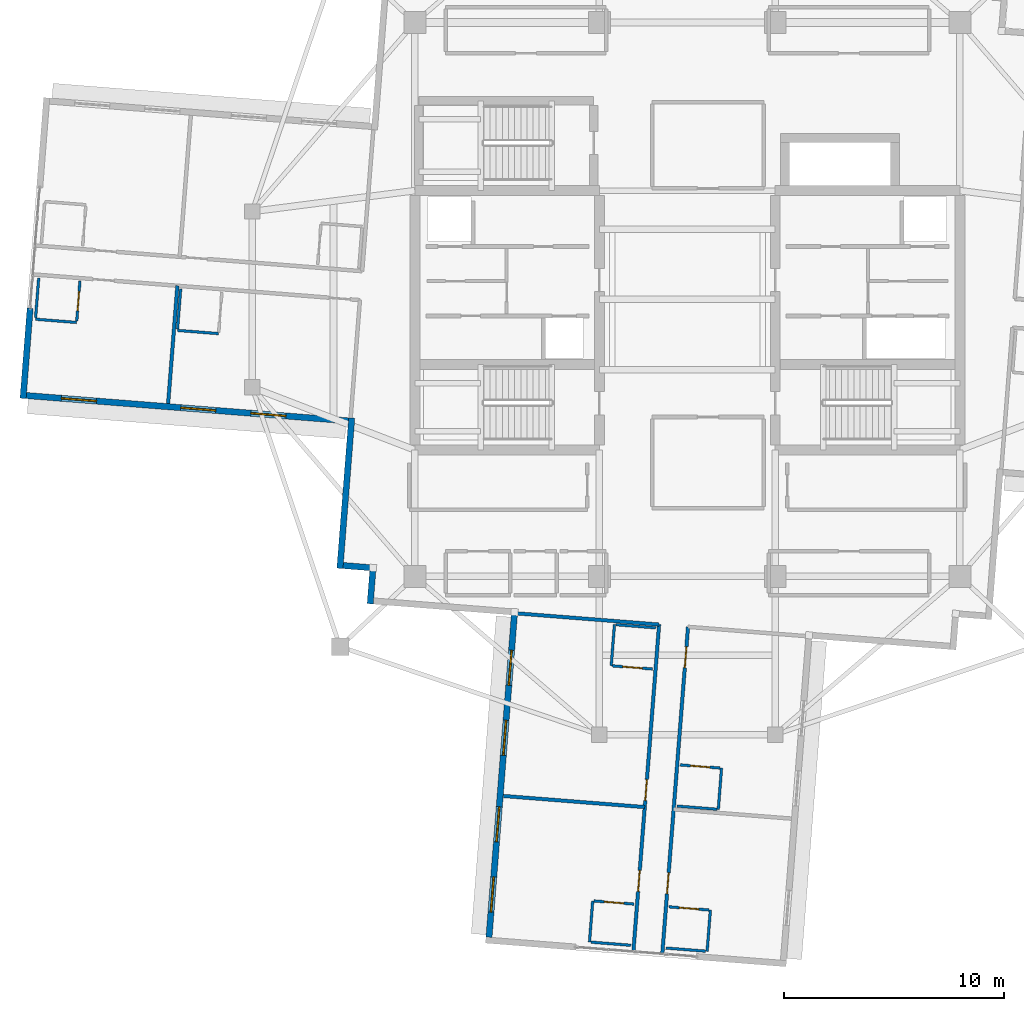
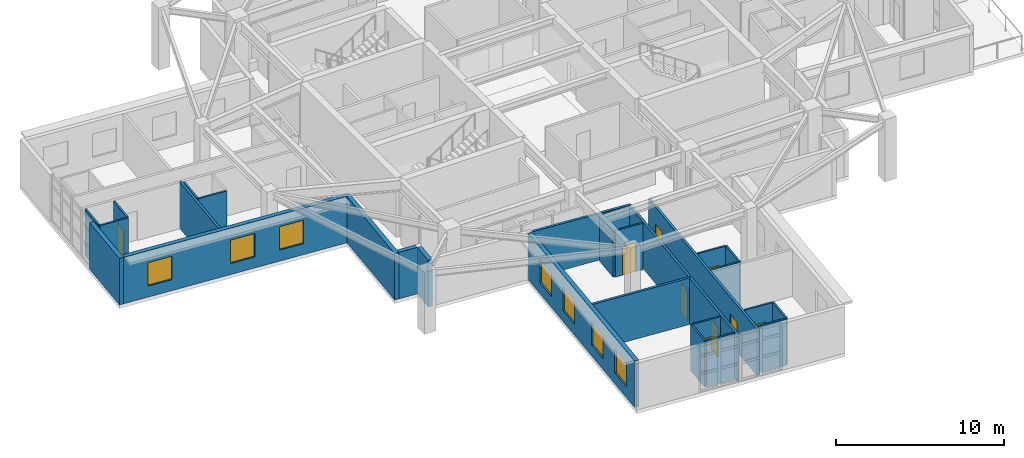
# One storey, part 13 of 23: 28 walls, 9 doors, 7 windows, 16 openings.
"""IFC4 building model written with IfcOpenShell, lengths in metres."""

from ifc_helpers import new_model, si_unit, direction, frame, frame_2d, origin, place, context, subcontext, project, spatial, rectangle, extrude, material, layer, layer_set, type_object, element, fill, save


model = new_model("IFC4")

# Units and contexts
model_context = context("Model", 3, precision=1e-05, world=origin(), true_north=direction((0.0, 1.0)))
body_context = subcontext(model_context, "Body", "Model", "MODEL_VIEW")
ifc_project = project(units=[si_unit("LENGTHUNIT", "METRE"), si_unit("AREAUNIT", "SQUARE_METRE"), si_unit("VOLUMEUNIT", "CUBIC_METRE"), si_unit("PLANEANGLEUNIT", "RADIAN"), si_unit("MASSUNIT", "GRAM", prefix="KILO")], contexts=[model_context])

# Site, building, storey
site_placement = place(None, origin())
site = spatial("IfcSite", under=ifc_project, at=site_placement, CompositionType="ELEMENT")
building_placement = place(site_placement, origin())
building = spatial("IfcBuilding", under=site, at=building_placement, Name="Qingluan Cross Belvedere", CompositionType="ELEMENT")
storey_placement = place(building_placement, frame((0.0, 0.0, 245.39990234375)))
storey = spatial("IfcBuildingStorey", under=building, at=storey_placement, Name="L61", CompositionType="ELEMENT", Elevation=245.39990234375)

# Wall
ifc_material_1 = material(Name="Gypsum plasterboard on steel stud acoustic partition", Category="steel")
ifc_layer_1 = layer(ifc_material_1, 0.159912109375, Name="CorridorPartition_160")
ifc_layer_set_1 = layer_set([ifc_layer_1], Name="Gypsum plasterboard on steel stud acoustic partition")
wall_type_1 = type_object("IfcWallType", Name="CorridorPartition_160", PredefinedType="PARTITIONING", material=ifc_layer_set_1)
wall_1_placement = place(storey_placement, frame((-23.20361328125, 0.62255859375, 0.0), z_axis=(0.0, 0.0, 1.0), x_axis=(-0.078486166816, -0.996915202822, 0.0)))
element("IfcWall", 1, at=wall_1_placement, inside=storey, type_object=wall_type_1, Name="Partition L61:W:d1_0", PredefinedType="PARTITIONING", context=body_context, shape_type="SweptSolid", body=[
    extrude(rectangle(XDim=5.3720703125, YDim=0.159912109375, at=frame_2d((2.68603515625, 0.0))), origin(), (0.0, 0.0, 1.0), 3.3701171875),
])

# Wall, openings, doors
wall_2_placement = place(storey_placement, frame((0.03125, -14.8984375, 0.0), z_axis=(0.0, 0.0, 1.0), x_axis=(-0.078459569392, -0.996917296455, 0.0)))
wall_2 = element("IfcWall", 2, at=wall_2_placement, inside=storey, type_object=wall_type_1, Name="Partition L61:S:c0", PredefinedType="PARTITIONING", context=body_context, shape_type="SweptSolid", body=[
    extrude(rectangle(XDim=14.929931640625, YDim=0.159912109375, at=frame_2d((7.46484375, 0.0))), origin(), (0.0, 0.0, 1.0), 3.3701171875),
])
opening_1_placement = place(wall_2_placement, frame((0.907958984375, 0.0, 0.0)))
opening_1 = element("IfcOpeningElement", 3, at=opening_1_placement, cuts=wall_2, Name="Opening GD-10", PredefinedType="OPENING", context=body_context, shape_type="SweptSolid", body=[
    extrude(rectangle(XDim=0.9599609375, YDim=2.14990234375, at=frame_2d((0.47998046875, 1.074951171875))), frame((0.0, 0.08984375, 0.0), z_axis=(0.0, -1.0, 0.0), x_axis=(1.0, 0.0, 0.0)), (0.0, 0.0, 1.0), 0.179931640625),
])
opening_2_placement = place(wall_2_placement, frame((11.221923828125, 0.0, 0.0)))
opening_2 = element("IfcOpeningElement", 4, at=opening_2_placement, cuts=wall_2, Name="Opening GD-10", PredefinedType="OPENING", context=body_context, shape_type="SweptSolid", body=[
    extrude(rectangle(XDim=0.9599609375, YDim=2.14990234375, at=frame_2d((0.47998046875, 1.074951171875))), frame((0.0, 0.08984375, 0.0), z_axis=(0.0, -1.0, 0.0), x_axis=(1.0, 0.0, 0.0)), (0.0, 0.0, 1.0), 0.179931640625),
])
ifc_material_2 = material(Name="Timber oak fire-rated acoustic guestroom door", Category="wood")
door_type_1 = type_object("IfcDoorType", Name="GuestEntryDoor_FD60", OperationType="NOTDEFINED", PredefinedType="DOOR", material=ifc_material_2)
door_1_placement = place(opening_1_placement, origin())
door_1 = element("IfcDoor", 5, at=door_1_placement, inside=storey, type_object=door_type_1, Name="Guest entry fire door 6113", OperationType="SINGLE_SWING_RIGHT", OverallHeight=2.14990234375, OverallWidth=0.9599609375, PredefinedType="DOOR", context=body_context, shape_type="SweptSolid", body=[
    extrude(rectangle(XDim=0.9599609375, YDim=2.14990234375, at=frame_2d((0.47998046875, 1.074951171875))), frame((0.0, 0.02490234375, 0.0), z_axis=(0.0, -1.0, 0.0), x_axis=(1.0, 0.0, 0.0)), (0.0, 0.0, 1.0), 0.050048828125),
])
fill(opening_1, door_1)
door_2_placement = place(opening_2_placement, origin())
door_2 = element("IfcDoor", 6, at=door_2_placement, inside=storey, type_object=door_type_1, Name="Guest entry fire door 6114", OperationType="SINGLE_SWING_RIGHT", OverallHeight=2.14990234375, OverallWidth=0.9599609375, PredefinedType="DOOR", context=body_context, shape_type="SweptSolid", body=[
    extrude(rectangle(XDim=0.9599609375, YDim=2.14990234375, at=frame_2d((0.47998046875, 1.074951171875))), frame((0.0, 0.02490234375, 0.0), z_axis=(0.0, -1.0, 0.0), x_axis=(1.0, 0.0, 0.0)), (0.0, 0.0, 1.0), 0.050048828125),
])
fill(opening_2, door_2)

wall_3_placement = place(storey_placement, frame((-1.28466796875, -14.794921875, 0.0), z_axis=(0.0, 0.0, 1.0), x_axis=(-0.078459569392, -0.996917296455, 0.0)))
wall_3 = element("IfcWall", 7, at=wall_3_placement, inside=storey, type_object=wall_type_1, Name="Partition L61:S:c1", PredefinedType="PARTITIONING", context=body_context, shape_type="SweptSolid", body=[
    extrude(rectangle(XDim=14.929931640625, YDim=0.159912109375, at=frame_2d((7.46484375, 0.0))), origin(), (0.0, 0.0, 1.0), 3.3701171875),
])
opening_3_placement = place(wall_3_placement, frame((7.071044921875, 0.0, 0.0)))
opening_3 = element("IfcOpeningElement", 8, at=opening_3_placement, cuts=wall_3, Name="Opening GD-10", PredefinedType="OPENING", context=body_context, shape_type="SweptSolid", body=[
    extrude(rectangle(XDim=0.9599609375, YDim=2.14990234375, at=frame_2d((0.47998046875, 1.074951171875))), frame((0.0, 0.08984375, 0.0), z_axis=(0.0, -1.0, 0.0), x_axis=(1.0, 0.0, 0.0)), (0.0, 0.0, 1.0), 0.179931640625),
])
opening_4_placement = place(wall_3_placement, frame((11.221923828125, 0.0, 0.0)))
opening_4 = element("IfcOpeningElement", 9, at=opening_4_placement, cuts=wall_3, Name="Opening GD-10", PredefinedType="OPENING", context=body_context, shape_type="SweptSolid", body=[
    extrude(rectangle(XDim=0.9599609375, YDim=2.14990234375, at=frame_2d((0.47998046875, 1.074951171875))), frame((0.0, 0.08984375, 0.0), z_axis=(0.0, -1.0, 0.0), x_axis=(1.0, 0.0, 0.0)), (0.0, 0.0, 1.0), 0.179931640625),
])
door_3_placement = place(opening_3_placement, origin())
door_3 = element("IfcDoor", 10, at=door_3_placement, inside=storey, type_object=door_type_1, Name="Guest entry fire door 6115", OperationType="SINGLE_SWING_RIGHT", OverallHeight=2.14990234375, OverallWidth=0.9599609375, PredefinedType="DOOR", context=body_context, shape_type="SweptSolid", body=[
    extrude(rectangle(XDim=0.9599609375, YDim=2.14990234375, at=frame_2d((0.47998046875, 1.074951171875))), frame((0.0, 0.02490234375, 0.0), z_axis=(0.0, -1.0, 0.0), x_axis=(1.0, 0.0, 0.0)), (0.0, 0.0, 1.0), 0.050048828125),
])
fill(opening_3, door_3)
door_4_placement = place(opening_4_placement, origin())
door_4 = element("IfcDoor", 11, at=door_4_placement, inside=storey, type_object=door_type_1, Name="Guest entry fire door 6116", OperationType="SINGLE_SWING_RIGHT", OverallHeight=2.14990234375, OverallWidth=0.9599609375, PredefinedType="DOOR", context=body_context, shape_type="SweptSolid", body=[
    extrude(rectangle(XDim=0.9599609375, YDim=2.14990234375, at=frame_2d((0.47998046875, 1.074951171875))), frame((0.0, 0.02490234375, 0.0), z_axis=(0.0, -1.0, 0.0), x_axis=(1.0, 0.0, 0.0)), (0.0, 0.0, 1.0), 0.050048828125),
])
fill(opening_4, door_4)

# Walls
wall_4_placement = place(storey_placement, frame((-1.28466796875, -14.794921875, 0.0), z_axis=(0.0, 0.0, 1.0), x_axis=(-0.996917593255, 0.078455798126, 0.0)))
element("IfcWall", 12, at=wall_4_placement, inside=storey, type_object=wall_type_1, Name="Partition L61:S:s1", PredefinedType="PARTITIONING", context=body_context, shape_type="SweptSolid", body=[
    extrude(rectangle(XDim=6.60009765625, YDim=0.159912109375, at=frame_2d((3.300048828125, 0.0))), origin(), (0.0, 0.0, 1.0), 3.3701171875),
])
wall_5_placement = place(storey_placement, frame((-1.9384765625, -23.10009765625, 0.0), z_axis=(0.0, 0.0, 1.0), x_axis=(-0.996918739927, 0.078441226291, 0.0)))
element("IfcWall", 13, at=wall_5_placement, inside=storey, type_object=wall_type_1, Name="Partition L61:S:d1_0", PredefinedType="PARTITIONING", context=body_context, shape_type="SweptSolid", body=[
    extrude(rectangle(XDim=6.451904296875, YDim=0.159912109375, at=frame_2d((3.22607421875, 0.0))), origin(), (0.0, 0.0, 1.0), 3.3701171875),
])
ifc_material_3 = material(Name="Moisture-resistant gypsum board lining")
ifc_layer_2 = layer(ifc_material_3, 0.1201171875, Name="EnsuiteWetPartition_120")
ifc_layer_set_2 = layer_set([ifc_layer_2], Name="Moisture-resistant gypsum board lining")
wall_type_2 = type_object("IfcWallType", Name="EnsuiteWetPartition_120", PredefinedType="PARTITIONING", material=ifc_layer_set_2)
wall_6_placement = place(storey_placement, frame((-23.197998046875, -1.343994140625, 0.0), z_axis=(0.0, 0.0, 1.0), x_axis=(0.078481444107, 0.996915574626, 0.0)))
element("IfcWall", 14, at=wall_6_placement, inside=storey, type_object=wall_type_2, Name="Partition L61:W:bw1_0", PredefinedType="PARTITIONING", context=body_context, shape_type="SweptSolid", body=[
    extrude(rectangle(XDim=1.81982421875, YDim=0.1201171875, at=frame_2d((0.909912109375, 0.0))), origin(), (0.0, 0.0, 1.0), 3.3701171875),
])
wall_7_placement = place(storey_placement, frame((-21.328857421875, -1.556396484375, 0.0), z_axis=(0.0, 0.0, 1.0), x_axis=(-0.996919293781, 0.07843418698, 0.0)))
element("IfcWall", 15, at=wall_7_placement, inside=storey, type_object=wall_type_2, Name="Partition L61:W:bc1_0", PredefinedType="PARTITIONING", context=body_context, shape_type="SweptSolid", body=[
    extrude(rectangle(XDim=1.880126953125, YDim=0.1201171875, at=frame_2d((0.93994140625, 0.0))), origin(), (0.0, 0.0, 1.0), 3.3701171875),
])

# Wall, opening, door
wall_8_placement = place(storey_placement, frame((-27.78271484375, -0.983154296875, 0.0), z_axis=(0.0, 0.0, 1.0), x_axis=(0.0784709492, 0.996916400774, 0.0)))
wall_8 = element("IfcWall", 16, at=wall_8_placement, inside=storey, type_object=wall_type_2, Name="Partition L61:W:bs1_1", PredefinedType="PARTITIONING", context=body_context, shape_type="SweptSolid", body=[
    extrude(rectangle(XDim=1.820068359375, YDim=0.1201171875, at=frame_2d((0.91015625, 0.0))), origin(), (0.0, 0.0, 1.0), 3.3701171875),
])
opening_5_placement = place(wall_8_placement, frame((0.469970703125, 0.0, 0.0)))
opening_5 = element("IfcOpeningElement", 17, at=opening_5_placement, cuts=wall_8, Name="Opening BD-09", PredefinedType="OPENING", context=body_context, shape_type="SweptSolid", body=[
    extrude(rectangle(XDim=0.8798828125, YDim=2.10009765625, at=frame_2d((0.43994140625, 1.050048828125))), frame((0.0, 0.070068359375, 0.0), z_axis=(0.0, -1.0, 0.0), x_axis=(1.0, 0.0, 0.0)), (0.0, 0.0, 1.0), 0.14013671875),
])
ifc_material_4 = material(Name="Moisture-sealed timber en-suite door", Category="wood")
door_type_2 = type_object("IfcDoorType", Name="BathroomDoor_880", OperationType="NOTDEFINED", PredefinedType="DOOR", material=ifc_material_4)
door_5_placement = place(opening_5_placement, origin())
door_5 = element("IfcDoor", 18, at=door_5_placement, inside=storey, type_object=door_type_2, Name="Bathroom door 6108", OperationType="SINGLE_SWING_LEFT", OverallHeight=2.10009765625, OverallWidth=0.8798828125, PredefinedType="DOOR", context=body_context, shape_type="SweptSolid", body=[
    extrude(rectangle(XDim=0.8798828125, YDim=2.10009765625, at=frame_2d((0.43994140625, 1.050048828125))), frame((0.0, 0.02490234375, 0.0), z_axis=(0.0, -1.0, 0.0), x_axis=(1.0, 0.0, 0.0)), (0.0, 0.0, 1.0), 0.050048828125),
])
fill(opening_5, door_5)

# Walls
wall_9_placement = place(storey_placement, frame((-29.656982421875, -0.835693359375, 0.0), z_axis=(0.0, 0.0, 1.0), x_axis=(0.0784709492, 0.996916400774, 0.0)))
element("IfcWall", 19, at=wall_9_placement, inside=storey, type_object=wall_type_2, Name="Partition L61:W:bw1_1", PredefinedType="PARTITIONING", context=body_context, shape_type="SweptSolid", body=[
    extrude(rectangle(XDim=1.820068359375, YDim=0.1201171875, at=frame_2d((0.91015625, 0.0))), origin(), (0.0, 0.0, 1.0), 3.3701171875),
])
wall_10_placement = place(storey_placement, frame((-27.787841796875, -1.048095703125, 0.0), z_axis=(0.0, 0.0, 1.0), x_axis=(-0.996909131608, 0.078563244057, 0.0)))
element("IfcWall", 20, at=wall_10_placement, inside=storey, type_object=wall_type_2, Name="Partition L61:W:bc1_1", PredefinedType="PARTITIONING", context=body_context, shape_type="SweptSolid", body=[
    extrude(rectangle(XDim=1.880126953125, YDim=0.1201171875, at=frame_2d((0.93994140625, 0.0))), origin(), (0.0, 0.0, 1.0), 3.3701171875),
])

# Wall, opening, door
wall_11_placement = place(storey_placement, frame((-0.32275390625, -21.180908203125, 0.0), z_axis=(0.0, 0.0, 1.0), x_axis=(0.996916400774, -0.0784709492, 0.0)))
wall_11 = element("IfcWall", 21, at=wall_11_placement, inside=storey, type_object=wall_type_2, Name="Partition L61:S:bs0_0", PredefinedType="PARTITIONING", context=body_context, shape_type="SweptSolid", body=[
    extrude(rectangle(XDim=1.820068359375, YDim=0.1201171875, at=frame_2d((0.91015625, 0.0))), origin(), (0.0, 0.0, 1.0), 3.3701171875),
])
opening_6_placement = place(wall_11_placement, frame((0.469970703125, 0.0, 0.0)))
opening_6 = element("IfcOpeningElement", 22, at=opening_6_placement, cuts=wall_11, Name="Opening BD-09", PredefinedType="OPENING", context=body_context, shape_type="SweptSolid", body=[
    extrude(rectangle(XDim=0.8798828125, YDim=2.10009765625, at=frame_2d((0.43994140625, 1.050048828125))), frame((0.0, 0.070068359375, 0.0), z_axis=(0.0, -1.0, 0.0), x_axis=(1.0, 0.0, 0.0)), (0.0, 0.0, 1.0), 0.14013671875),
])
door_6_placement = place(opening_6_placement, origin())
door_6 = element("IfcDoor", 23, at=door_6_placement, inside=storey, type_object=door_type_2, Name="Bathroom door 6113", OperationType="SINGLE_SWING_LEFT", OverallHeight=2.10009765625, OverallWidth=0.8798828125, PredefinedType="DOOR", context=body_context, shape_type="SweptSolid", body=[
    extrude(rectangle(XDim=0.8798828125, YDim=2.10009765625, at=frame_2d((0.43994140625, 1.050048828125))), frame((0.0, 0.02490234375, 0.0), z_axis=(0.0, -1.0, 0.0), x_axis=(1.0, 0.0, 0.0)), (0.0, 0.0, 1.0), 0.050048828125),
])
fill(opening_6, door_6)

# Walls
wall_12_placement = place(storey_placement, frame((-0.47021484375, -23.05517578125, 0.0), z_axis=(0.0, 0.0, 1.0), x_axis=(0.996915574626, -0.078481444107, 0.0)))
element("IfcWall", 24, at=wall_12_placement, inside=storey, type_object=wall_type_2, Name="Partition L61:S:bw0_0", PredefinedType="PARTITIONING", context=body_context, shape_type="SweptSolid", body=[
    extrude(rectangle(XDim=1.81982421875, YDim=0.1201171875, at=frame_2d((0.909912109375, 0.0))), origin(), (0.0, 0.0, 1.0), 3.3701171875),
])
wall_13_placement = place(storey_placement, frame((1.556396484375, -21.328857421875, 0.0), z_axis=(0.0, 0.0, 1.0), x_axis=(-0.07843418698, -0.996919293781, 0.0)))
element("IfcWall", 25, at=wall_13_placement, inside=storey, type_object=wall_type_2, Name="Partition L61:S:bn0_0", PredefinedType="PARTITIONING", context=body_context, shape_type="SweptSolid", body=[
    extrude(rectangle(XDim=1.880126953125, YDim=0.1201171875, at=frame_2d((0.93994140625, 0.0))), origin(), (0.0, 0.0, 1.0), 3.3701171875),
])

# Wall, opening, door
wall_14_placement = place(storey_placement, frame((-0.831298828125, -27.639892578125, 0.0), z_axis=(0.0, 0.0, 1.0), x_axis=(0.996916400774, -0.0784709492, 0.0)))
wall_14 = element("IfcWall", 26, at=wall_14_placement, inside=storey, type_object=wall_type_2, Name="Partition L61:S:bs0_1", PredefinedType="PARTITIONING", context=body_context, shape_type="SweptSolid", body=[
    extrude(rectangle(XDim=1.820068359375, YDim=0.1201171875, at=frame_2d((0.91015625, 0.0))), origin(), (0.0, 0.0, 1.0), 3.3701171875),
])
opening_7_placement = place(wall_14_placement, frame((0.469970703125, 0.0, 0.0)))
opening_7 = element("IfcOpeningElement", 27, at=opening_7_placement, cuts=wall_14, Name="Opening BD-09", PredefinedType="OPENING", context=body_context, shape_type="SweptSolid", body=[
    extrude(rectangle(XDim=0.8798828125, YDim=2.10009765625, at=frame_2d((0.43994140625, 1.050048828125))), frame((0.0, 0.070068359375, 0.0), z_axis=(0.0, -1.0, 0.0), x_axis=(1.0, 0.0, 0.0)), (0.0, 0.0, 1.0), 0.14013671875),
])
door_7_placement = place(opening_7_placement, origin())
door_7 = element("IfcDoor", 28, at=door_7_placement, inside=storey, type_object=door_type_2, Name="Bathroom door 6114", OperationType="SINGLE_SWING_LEFT", OverallHeight=2.10009765625, OverallWidth=0.8798828125, PredefinedType="DOOR", context=body_context, shape_type="SweptSolid", body=[
    extrude(rectangle(XDim=0.8798828125, YDim=2.10009765625, at=frame_2d((0.43994140625, 1.050048828125))), frame((0.0, 0.02490234375, 0.0), z_axis=(0.0, -1.0, 0.0), x_axis=(1.0, 0.0, 0.0)), (0.0, 0.0, 1.0), 0.050048828125),
])
fill(opening_7, door_7)

# Walls
wall_15_placement = place(storey_placement, frame((-0.978759765625, -29.51416015625, 0.0), z_axis=(0.0, 0.0, 1.0), x_axis=(0.996916400774, -0.0784709492, 0.0)))
element("IfcWall", 29, at=wall_15_placement, inside=storey, type_object=wall_type_2, Name="Partition L61:S:bw0_1", PredefinedType="PARTITIONING", context=body_context, shape_type="SweptSolid", body=[
    extrude(rectangle(XDim=1.820068359375, YDim=0.1201171875, at=frame_2d((0.91015625, 0.0))), origin(), (0.0, 0.0, 1.0), 3.3701171875),
])
wall_16_placement = place(storey_placement, frame((1.048095703125, -27.787841796875, 0.0), z_axis=(0.0, 0.0, 1.0), x_axis=(-0.078563244057, -0.996909131608, 0.0)))
element("IfcWall", 30, at=wall_16_placement, inside=storey, type_object=wall_type_2, Name="Partition L61:S:bn0_1", PredefinedType="PARTITIONING", context=body_context, shape_type="SweptSolid", body=[
    extrude(rectangle(XDim=1.880126953125, YDim=0.1201171875, at=frame_2d((0.93994140625, 0.0))), origin(), (0.0, 0.0, 1.0), 3.3701171875),
])

# Wall, opening, door
wall_17_placement = place(storey_placement, frame((-3.398681640625, -16.6748046875, 0.0), z_axis=(0.0, 0.0, 1.0), x_axis=(0.996926062126, -0.078348112001, 0.0)))
wall_17 = element("IfcWall", 31, at=wall_17_placement, inside=storey, type_object=wall_type_2, Name="Partition L61:S:bs1_0", PredefinedType="PARTITIONING", context=body_context, shape_type="SweptSolid", body=[
    extrude(rectangle(XDim=1.81982421875, YDim=0.1201171875, at=frame_2d((0.909912109375, 0.0))), origin(), (0.0, 0.0, 1.0), 3.3701171875),
])
opening_8_placement = place(wall_17_placement, frame((0.469970703125, 0.0, 0.0)))
opening_8 = element("IfcOpeningElement", 32, at=opening_8_placement, cuts=wall_17, Name="Opening BD-09", PredefinedType="OPENING", context=body_context, shape_type="SweptSolid", body=[
    extrude(rectangle(XDim=0.8798828125, YDim=2.10009765625, at=frame_2d((0.43994140625, 1.050048828125))), frame((0.0, 0.070068359375, 0.0), z_axis=(0.0, -1.0, 0.0), x_axis=(1.0, 0.0, 0.0)), (0.0, 0.0, 1.0), 0.14013671875),
])
door_8_placement = place(opening_8_placement, origin())
door_8 = element("IfcDoor", 33, at=door_8_placement, inside=storey, type_object=door_type_2, Name="Bathroom door 6115", OperationType="SINGLE_SWING_LEFT", OverallHeight=2.10009765625, OverallWidth=0.8798828125, PredefinedType="DOOR", context=body_context, shape_type="SweptSolid", body=[
    extrude(rectangle(XDim=0.8798828125, YDim=2.10009765625, at=frame_2d((0.43994140625, 1.050048828125))), frame((0.0, 0.02490234375, 0.0), z_axis=(0.0, -1.0, 0.0), x_axis=(1.0, 0.0, 0.0)), (0.0, 0.0, 1.0), 0.050048828125),
])
fill(opening_8, door_8)

# Walls
wall_18_placement = place(storey_placement, frame((-3.251220703125, -14.800537109375, 0.0), z_axis=(0.0, 0.0, 1.0), x_axis=(0.996915574626, -0.078481444107, 0.0)))
element("IfcWall", 34, at=wall_18_placement, inside=storey, type_object=wall_type_2, Name="Partition L61:S:bw1_0", PredefinedType="PARTITIONING", context=body_context, shape_type="SweptSolid", body=[
    extrude(rectangle(XDim=1.81982421875, YDim=0.1201171875, at=frame_2d((0.909912109375, 0.0))), origin(), (0.0, 0.0, 1.0), 3.3701171875),
])
wall_19_placement = place(storey_placement, frame((-3.316162109375, -14.79541015625, 0.0), z_axis=(0.0, 0.0, 1.0), x_axis=(-0.07843418698, -0.996919293781, 0.0)))
element("IfcWall", 35, at=wall_19_placement, inside=storey, type_object=wall_type_2, Name="Partition L61:S:bc1_0", PredefinedType="PARTITIONING", context=body_context, shape_type="SweptSolid", body=[
    extrude(rectangle(XDim=1.880126953125, YDim=0.1201171875, at=frame_2d((0.93994140625, 0.0))), origin(), (0.0, 0.0, 1.0), 3.3701171875),
])

# Wall, opening, door
wall_20_placement = place(storey_placement, frame((-4.240478515625, -27.37158203125, 0.0), z_axis=(0.0, 0.0, 1.0), x_axis=(0.996915574626, -0.078481444107, 0.0)))
wall_20 = element("IfcWall", 36, at=wall_20_placement, inside=storey, type_object=wall_type_2, Name="Partition L61:S:bs1_1", PredefinedType="PARTITIONING", context=body_context, shape_type="SweptSolid", body=[
    extrude(rectangle(XDim=1.81982421875, YDim=0.1201171875, at=frame_2d((0.909912109375, 0.0))), origin(), (0.0, 0.0, 1.0), 3.3701171875),
])
opening_9_placement = place(wall_20_placement, frame((0.469970703125, 0.0, 0.0)))
opening_9 = element("IfcOpeningElement", 37, at=opening_9_placement, cuts=wall_20, Name="Opening BD-09", PredefinedType="OPENING", context=body_context, shape_type="SweptSolid", body=[
    extrude(rectangle(XDim=0.8798828125, YDim=2.10009765625, at=frame_2d((0.43994140625, 1.050048828125))), frame((0.0, 0.070068359375, 0.0), z_axis=(0.0, -1.0, 0.0), x_axis=(1.0, 0.0, 0.0)), (0.0, 0.0, 1.0), 0.14013671875),
])
door_9_placement = place(opening_9_placement, origin())
door_9 = element("IfcDoor", 38, at=door_9_placement, inside=storey, type_object=door_type_2, Name="Bathroom door 6116", OperationType="SINGLE_SWING_LEFT", OverallHeight=2.10009765625, OverallWidth=0.8798828125, PredefinedType="DOOR", context=body_context, shape_type="SweptSolid", body=[
    extrude(rectangle(XDim=0.8798828125, YDim=2.10009765625, at=frame_2d((0.43994140625, 1.050048828125))), frame((0.0, 0.02490234375, 0.0), z_axis=(0.0, -1.0, 0.0), x_axis=(1.0, 0.0, 0.0)), (0.0, 0.0, 1.0), 0.050048828125),
])
fill(opening_9, door_9)

# Walls
wall_21_placement = place(storey_placement, frame((-4.38818359375, -29.245849609375, 0.0), z_axis=(0.0, 0.0, 1.0), x_axis=(0.996916400774, -0.0784709492, 0.0)))
element("IfcWall", 39, at=wall_21_placement, inside=storey, type_object=wall_type_2, Name="Partition L61:S:bw1_1", PredefinedType="PARTITIONING", context=body_context, shape_type="SweptSolid", body=[
    extrude(rectangle(XDim=1.820068359375, YDim=0.1201171875, at=frame_2d((0.91015625, 0.0))), origin(), (0.0, 0.0, 1.0), 3.3701171875),
])
wall_22_placement = place(storey_placement, frame((-4.305419921875, -27.36669921875, 0.0), z_axis=(0.0, 0.0, 1.0), x_axis=(-0.078444342213, -0.99691849475, 0.0)))
element("IfcWall", 40, at=wall_22_placement, inside=storey, type_object=wall_type_2, Name="Partition L61:S:bc1_1", PredefinedType="PARTITIONING", context=body_context, shape_type="SweptSolid", body=[
    extrude(rectangle(XDim=1.8798828125, YDim=0.1201171875, at=frame_2d((0.93994140625, 0.0))), origin(), (0.0, 0.0, 1.0), 3.3701171875),
])

# Wall, openings, windows
ifc_material_5 = material(Name="Precast concrete C45", Category="concrete")
ifc_layer_3 = layer(ifc_material_5, 0.280029296875, Name="PrecastFacadeWall_280")
ifc_layer_set_3 = layer_set([ifc_layer_3], Name="Precast concrete C45")
wall_type_3 = type_object("IfcWallType", Name="PrecastFacadeWall_280", PredefinedType="STANDARD", material=ifc_layer_set_3)
wall_23_placement = place(storey_placement, frame((-30.075927734375, -4.373779296875, 0.0), z_axis=(0.0, 0.0, 1.0), x_axis=(0.996917526837, -0.078456642068, 0.0)))
wall_23 = element("IfcWall", 41, at=wall_23_placement, inside=storey, type_object=wall_type_3, Name="Facade wall L61-WB", PredefinedType="STANDARD", context=body_context, shape_type="SweptSolid", body=[
    extrude(rectangle(XDim=14.7001953125, YDim=0.280029296875, at=frame_2d((7.35009765625, 0.0))), origin(), (0.0, 0.0, 1.0), 3.380126953125),
])
opening_10_placement = place(wall_23_placement, frame((1.60009765625, 0.0, 0.800048828125)))
opening_10 = element("IfcOpeningElement", 42, at=opening_10_placement, cuts=wall_23, Name="Opening W-04", PredefinedType="OPENING", context=body_context, shape_type="SweptSolid", body=[
    extrude(rectangle(XDim=1.60009765625, YDim=1.699951171875, at=frame_2d((0.800048828125, 0.85009765625))), frame((0.0, 0.14990234375, 0.0), z_axis=(0.0, -1.0, 0.0), x_axis=(1.0, 0.0, 0.0)), (0.0, 0.0, 1.0), 0.300048828125),
])
opening_11_placement = place(wall_23_placement, frame((7.050048828125, 0.0, 0.800048828125)))
opening_11 = element("IfcOpeningElement", 43, at=opening_11_placement, cuts=wall_23, Name="Opening W-04", PredefinedType="OPENING", context=body_context, shape_type="SweptSolid", body=[
    extrude(rectangle(XDim=1.60009765625, YDim=1.699951171875, at=frame_2d((0.800048828125, 0.85009765625))), frame((0.0, 0.14990234375, 0.0), z_axis=(0.0, -1.0, 0.0), x_axis=(1.0, 0.0, 0.0)), (0.0, 0.0, 1.0), 0.300048828125),
])
opening_12_placement = place(wall_23_placement, frame((10.25, 0.0, 0.800048828125)))
opening_12 = element("IfcOpeningElement", 44, at=opening_12_placement, cuts=wall_23, Name="Opening W-04", PredefinedType="OPENING", context=body_context, shape_type="SweptSolid", body=[
    extrude(rectangle(XDim=1.60009765625, YDim=1.699951171875, at=frame_2d((0.800048828125, 0.85009765625))), frame((0.0, 0.14990234375, 0.0), z_axis=(0.0, -1.0, 0.0), x_axis=(1.0, 0.0, 0.0)), (0.0, 0.0, 1.0), 0.300048828125),
])
ifc_material_6 = material(Name="Thermally broken triple Low-E glass in aluminium frame", Category="aluminium")
window_type = type_object("IfcWindowType", Name="SuiteCornerWin_1600x1700", PartitioningType="SINGLE_PANEL", PredefinedType="WINDOW", material=ifc_material_6)
window_1_placement = place(opening_10_placement, origin())
window_1 = element("IfcWindow", 45, at=window_1_placement, inside=storey, type_object=window_type, Name="Ribbon window L61-WB-1", OverallHeight=1.699951171875, OverallWidth=1.60009765625, PartitioningType="SINGLE_PANEL", PredefinedType="WINDOW", context=body_context, shape_type="SweptSolid", body=[
    extrude(rectangle(XDim=1.60009765625, YDim=1.699951171875, at=frame_2d((0.800048828125, 0.85009765625))), frame((0.0, 0.030029296875, 0.0), z_axis=(0.0, -1.0, 0.0), x_axis=(1.0, 0.0, 0.0)), (0.0, 0.0, 1.0), 0.06005859375),
])
fill(opening_10, window_1)
window_2_placement = place(opening_11_placement, origin())
window_2 = element("IfcWindow", 46, at=window_2_placement, inside=storey, type_object=window_type, Name="Ribbon window L61-WB-2", OverallHeight=1.699951171875, OverallWidth=1.60009765625, PartitioningType="SINGLE_PANEL", PredefinedType="WINDOW", context=body_context, shape_type="SweptSolid", body=[
    extrude(rectangle(XDim=1.60009765625, YDim=1.699951171875, at=frame_2d((0.800048828125, 0.85009765625))), frame((0.0, 0.030029296875, 0.0), z_axis=(0.0, -1.0, 0.0), x_axis=(1.0, 0.0, 0.0)), (0.0, 0.0, 1.0), 0.06005859375),
])
fill(opening_11, window_2)
window_3_placement = place(opening_12_placement, origin())
window_3 = element("IfcWindow", 47, at=window_3_placement, inside=storey, type_object=window_type, Name="Ribbon window L61-WB-3", OverallHeight=1.699951171875, OverallWidth=1.60009765625, PartitioningType="SINGLE_PANEL", PredefinedType="WINDOW", context=body_context, shape_type="SweptSolid", body=[
    extrude(rectangle(XDim=1.60009765625, YDim=1.699951171875, at=frame_2d((0.800048828125, 0.85009765625))), frame((0.0, 0.030029296875, 0.0), z_axis=(0.0, -1.0, 0.0), x_axis=(1.0, 0.0, 0.0)), (0.0, 0.0, 1.0), 0.06005859375),
])
fill(opening_12, window_3)

# Wall
wall_24_placement = place(storey_placement, frame((-29.903564453125, -0.39892578125, 0.0), z_axis=(0.0, 0.0, 1.0), x_axis=(-0.078415496528, -0.996920764105, 0.0)))
element("IfcWall", 48, at=wall_24_placement, inside=storey, type_object=wall_type_3, Name="Terrace portal jamb wall L61-W2", PredefinedType="STANDARD", context=body_context, shape_type="SweptSolid", body=[
    extrude(rectangle(XDim=4.115966796875, YDim=0.280029296875, at=frame_2d((2.05810546875, 0.0))), origin(), (0.0, 0.0, 1.0), 3.380126953125),
])

# Wall, openings, windows
wall_25_placement = place(storey_placement, frame((-7.87158203125, -14.36669921875, 0.0), z_axis=(0.0, 0.0, 1.0), x_axis=(-0.078456642068, -0.996917526837, 0.0)))
wall_25 = element("IfcWall", 49, at=wall_25_placement, inside=storey, type_object=wall_type_3, Name="Facade wall L61-SA", PredefinedType="STANDARD", context=body_context, shape_type="SweptSolid", body=[
    extrude(rectangle(XDim=14.7001953125, YDim=0.280029296875, at=frame_2d((7.35009765625, 0.0))), origin(), (0.0, 0.0, 1.0), 3.380126953125),
])
opening_13_placement = place(wall_25_placement, frame((1.60009765625, 0.0, 0.800048828125)))
opening_13 = element("IfcOpeningElement", 50, at=opening_13_placement, cuts=wall_25, Name="Opening W-04", PredefinedType="OPENING", context=body_context, shape_type="SweptSolid", body=[
    extrude(rectangle(XDim=1.60009765625, YDim=1.699951171875, at=frame_2d((0.800048828125, 0.85009765625))), frame((0.0, 0.14990234375, 0.0), z_axis=(0.0, -1.0, 0.0), x_axis=(1.0, 0.0, 0.0)), (0.0, 0.0, 1.0), 0.300048828125),
])
opening_14_placement = place(wall_25_placement, frame((4.800048828125, 0.0, 0.800048828125)))
opening_14 = element("IfcOpeningElement", 51, at=opening_14_placement, cuts=wall_25, Name="Opening W-04", PredefinedType="OPENING", context=body_context, shape_type="SweptSolid", body=[
    extrude(rectangle(XDim=1.60009765625, YDim=1.699951171875, at=frame_2d((0.800048828125, 0.85009765625))), frame((0.0, 0.14990234375, 0.0), z_axis=(0.0, -1.0, 0.0), x_axis=(1.0, 0.0, 0.0)), (0.0, 0.0, 1.0), 0.300048828125),
])
opening_15_placement = place(wall_25_placement, frame((8.75, 0.0, 0.800048828125)))
opening_15 = element("IfcOpeningElement", 52, at=opening_15_placement, cuts=wall_25, Name="Opening W-04", PredefinedType="OPENING", context=body_context, shape_type="SweptSolid", body=[
    extrude(rectangle(XDim=1.60009765625, YDim=1.699951171875, at=frame_2d((0.800048828125, 0.85009765625))), frame((0.0, 0.14990234375, 0.0), z_axis=(0.0, -1.0, 0.0), x_axis=(1.0, 0.0, 0.0)), (0.0, 0.0, 1.0), 0.300048828125),
])
opening_16_placement = place(wall_25_placement, frame((11.949951171875, 0.0, 0.800048828125)))
opening_16 = element("IfcOpeningElement", 53, at=opening_16_placement, cuts=wall_25, Name="Opening W-04", PredefinedType="OPENING", context=body_context, shape_type="SweptSolid", body=[
    extrude(rectangle(XDim=1.60009765625, YDim=1.699951171875, at=frame_2d((0.800048828125, 0.85009765625))), frame((0.0, 0.14990234375, 0.0), z_axis=(0.0, -1.0, 0.0), x_axis=(1.0, 0.0, 0.0)), (0.0, 0.0, 1.0), 0.300048828125),
])
window_4_placement = place(opening_13_placement, origin())
window_4 = element("IfcWindow", 54, at=window_4_placement, inside=storey, type_object=window_type, Name="Ribbon window L61-SA-1", OverallHeight=1.699951171875, OverallWidth=1.60009765625, PartitioningType="SINGLE_PANEL", PredefinedType="WINDOW", context=body_context, shape_type="SweptSolid", body=[
    extrude(rectangle(XDim=1.60009765625, YDim=1.699951171875, at=frame_2d((0.800048828125, 0.85009765625))), frame((0.0, 0.030029296875, 0.0), z_axis=(0.0, -1.0, 0.0), x_axis=(1.0, 0.0, 0.0)), (0.0, 0.0, 1.0), 0.06005859375),
])
fill(opening_13, window_4)
window_5_placement = place(opening_14_placement, origin())
window_5 = element("IfcWindow", 55, at=window_5_placement, inside=storey, type_object=window_type, Name="Ribbon window L61-SA-2", OverallHeight=1.699951171875, OverallWidth=1.60009765625, PartitioningType="SINGLE_PANEL", PredefinedType="WINDOW", context=body_context, shape_type="SweptSolid", body=[
    extrude(rectangle(XDim=1.60009765625, YDim=1.699951171875, at=frame_2d((0.800048828125, 0.85009765625))), frame((0.0, 0.030029296875, 0.0), z_axis=(0.0, -1.0, 0.0), x_axis=(1.0, 0.0, 0.0)), (0.0, 0.0, 1.0), 0.06005859375),
])
fill(opening_14, window_5)
window_6_placement = place(opening_15_placement, origin())
window_6 = element("IfcWindow", 56, at=window_6_placement, inside=storey, type_object=window_type, Name="Ribbon window L61-SA-3", OverallHeight=1.699951171875, OverallWidth=1.60009765625, PartitioningType="SINGLE_PANEL", PredefinedType="WINDOW", context=body_context, shape_type="SweptSolid", body=[
    extrude(rectangle(XDim=1.60009765625, YDim=1.699951171875, at=frame_2d((0.800048828125, 0.85009765625))), frame((0.0, 0.030029296875, 0.0), z_axis=(0.0, -1.0, 0.0), x_axis=(1.0, 0.0, 0.0)), (0.0, 0.0, 1.0), 0.06005859375),
])
fill(opening_15, window_6)
window_7_placement = place(opening_16_placement, origin())
window_7 = element("IfcWindow", 57, at=window_7_placement, inside=storey, type_object=window_type, Name="Ribbon window L61-SA-4", OverallHeight=1.699951171875, OverallWidth=1.60009765625, PartitioningType="SINGLE_PANEL", PredefinedType="WINDOW", context=body_context, shape_type="SweptSolid", body=[
    extrude(rectangle(XDim=1.60009765625, YDim=1.699951171875, at=frame_2d((0.800048828125, 0.85009765625))), frame((0.0, 0.030029296875, 0.0), z_axis=(0.0, -1.0, 0.0), x_axis=(1.0, 0.0, 0.0)), (0.0, 0.0, 1.0), 0.06005859375),
])
fill(opening_16, window_7)

# Walls
wall_26_placement = place(storey_placement, frame((-15.2705078125, -5.3984375, 0.0), z_axis=(0.0, 0.0, 1.0), x_axis=(-0.078473519122, -0.996916198482, 0.0)))
element("IfcWall", 58, at=wall_26_placement, inside=storey, type_object=wall_type_3, Name="Corner wall L61-SW1", PredefinedType="STANDARD", context=body_context, shape_type="SweptSolid", body=[
    extrude(rectangle(XDim=6.860107421875, YDim=0.280029296875, at=frame_2d((3.43017578125, 0.0))), origin(), (0.0, 0.0, 1.0), 3.380126953125),
])
wall_27_placement = place(storey_placement, frame((-15.658203125, -12.10888671875, 0.0), z_axis=(0.0, 0.0, 1.0), x_axis=(0.996917540398, -0.078456469752, 0.0)))
element("IfcWall", 59, at=wall_27_placement, inside=storey, type_object=wall_type_3, Name="Corner wall L61-SW2", PredefinedType="STANDARD", context=body_context, shape_type="SweptSolid", body=[
    extrude(rectangle(XDim=1.2197265625, YDim=0.280029296875, at=frame_2d((0.60986328125, 0.0))), origin(), (0.0, 0.0, 1.0), 3.380126953125),
])
wall_28_placement = place(storey_placement, frame((-14.3134765625, -12.35498046875, 0.0), z_axis=(0.0, 0.0, 1.0), x_axis=(-0.078451338629, -0.9969179442, 0.0)))
element("IfcWall", 60, at=wall_28_placement, inside=storey, type_object=wall_type_3, Name="Corner wall L61-SW3", PredefinedType="STANDARD", context=body_context, shape_type="SweptSolid", body=[
    extrude(rectangle(XDim=1.5, YDim=0.280029296875, at=frame_2d((0.75, 0.0))), origin(), (0.0, 0.0, 1.0), 3.380126953125),
])

save(model, "model.ifc")
